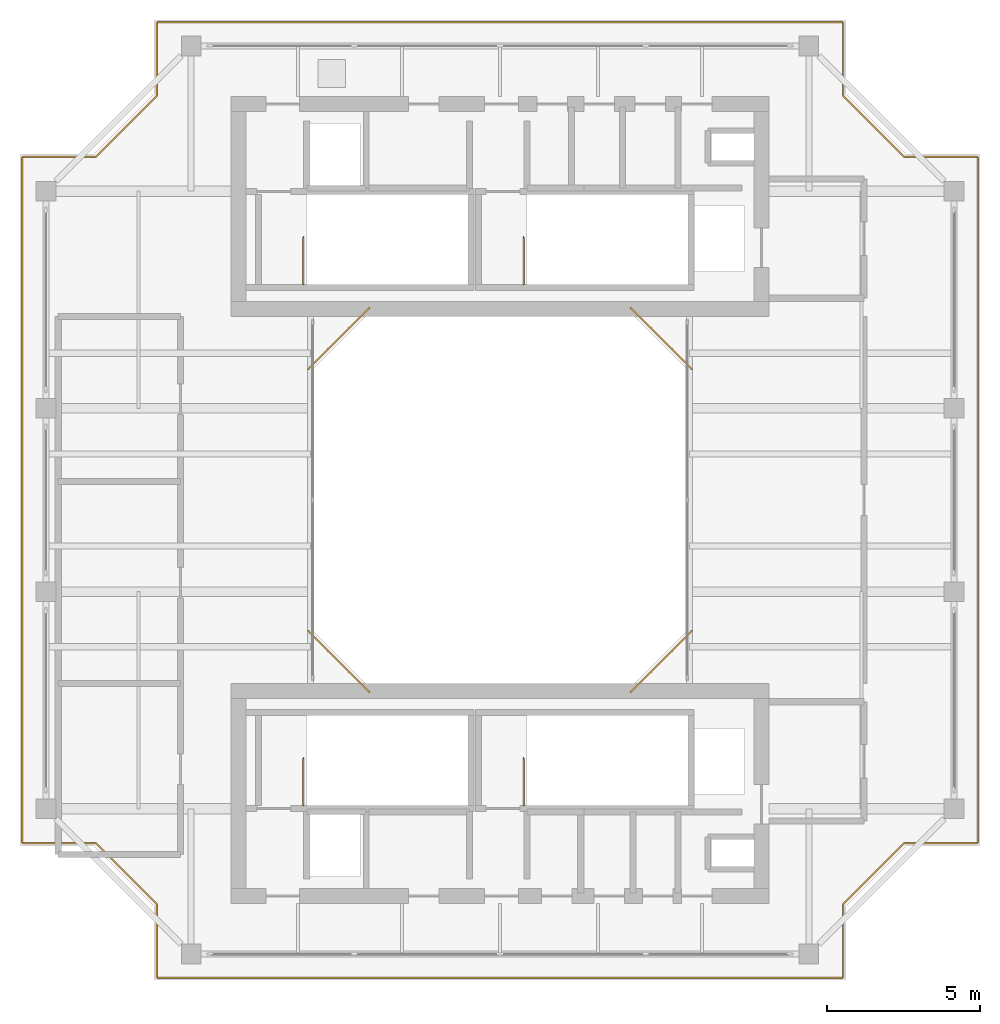
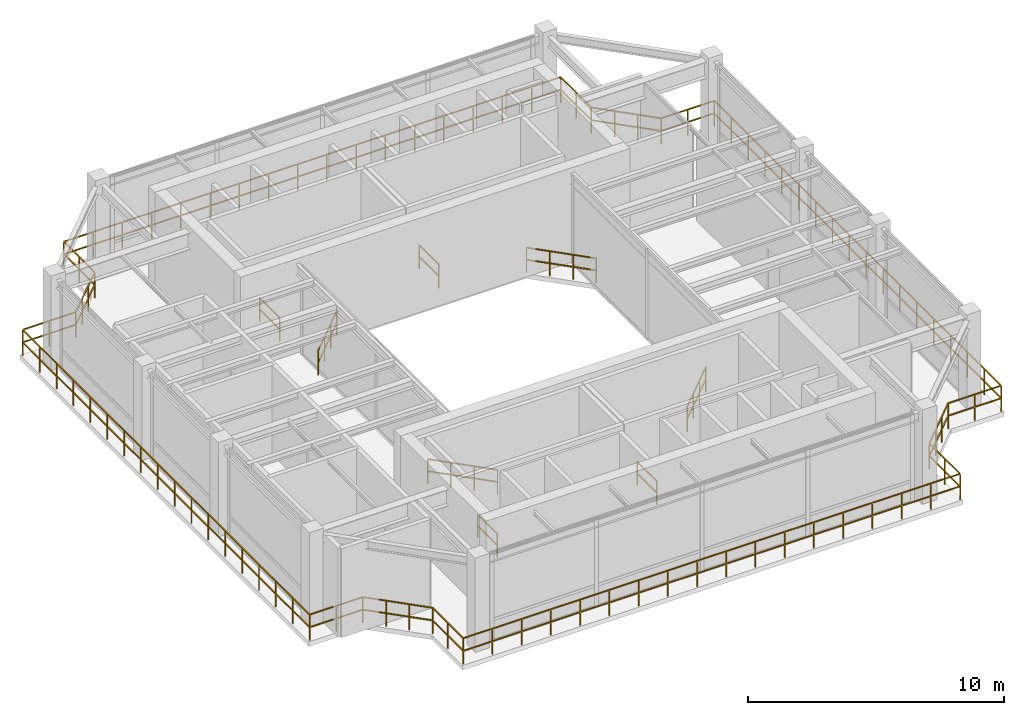
# One storey, part 9 of 9: 9 railings.
"""IFC4 building model written with IfcOpenShell, lengths in metres."""

from ifc_helpers import new_model, si_unit, direction, frame, origin, origin_2d, place, context, subcontext, project, spatial, rectangle, extrude, material, type_object, element, save


model = new_model("IFC4")

# Units and contexts
model_context = context("Model", 3, precision=1e-05, world=origin(), true_north=direction((0.0, 1.0)))
body_context = subcontext(model_context, "Body", "Model", "MODEL_VIEW")
ifc_project = project(units=[si_unit("LENGTHUNIT", "METRE"), si_unit("AREAUNIT", "SQUARE_METRE"), si_unit("VOLUMEUNIT", "CUBIC_METRE"), si_unit("PLANEANGLEUNIT", "RADIAN"), si_unit("MASSUNIT", "GRAM", prefix="KILO"), si_unit("THERMODYNAMICTEMPERATUREUNIT", "KELVIN"), si_unit("POWERUNIT", "WATT")], contexts=[model_context])

# Site, building, storey
site_placement = place(None, origin())
site = spatial("IfcSite", under=ifc_project, at=site_placement, CompositionType="ELEMENT")
building_placement = place(site_placement, origin())
building = spatial("IfcBuilding", under=site, at=building_placement, Name="Qiaomeng Ring Towers", CompositionType="ELEMENT")
storey_placement = place(building_placement, frame((0.0, 0.0, 263.25)))
storey = spatial("IfcBuildingStorey", under=building, at=storey_placement, Name="L77", CompositionType="ELEMENT", Elevation=263.25)

# Railings
ifc_material_1 = material(Name="Low-E pale-green laminated safety glass", Category="glass")
railing_type_1 = type_object("IfcRailingType", Name="ARC-RL-BAL1", PredefinedType="BALUSTRADE", material=ifc_material_1)
railing_1_placement = place(storey_placement, frame((23.280029296875, 16.719970703125, 0.0)))
element("IfcRailing", 1, at=railing_1_placement, inside=storey, type_object=railing_type_1, Name="L77 Balustrade ARC-BAL-WELL1-L77-1", PredefinedType="BALUSTRADE", context=body_context, shape_type="SweptSolid", body=[
    extrude(rectangle(XDim=0.048095703125, YDim=0.048095703125, at=origin_2d()), frame((0.0, 0.0, 1.17578125), z_axis=(0.707106781187, 0.707106781187, 0.0), x_axis=(-0.707106781187, 0.707106781187, 0.0)), (0.0, 0.0, 1.0), 2.828369140625),
    extrude(rectangle(XDim=0.048095703125, YDim=0.048095703125, at=origin_2d()), frame((0.0, 0.0, 0.60009765625), z_axis=(0.707106781187, 0.707106781187, 0.0), x_axis=(-0.707106781187, 0.707106781187, 0.0)), (0.0, 0.0, 1.0), 2.828369140625),
    extrude(rectangle(XDim=0.0419921875, YDim=0.0419921875, at=origin_2d()), origin(), (0.0, 0.0, 1.0), 1.15185546875),
    extrude(rectangle(XDim=0.0419921875, YDim=0.0419921875, at=origin_2d()), frame((0.666748046875, 0.666748046875, 0.0)), (0.0, 0.0, 1.0), 1.15185546875),
    extrude(rectangle(XDim=0.0419921875, YDim=0.0419921875, at=origin_2d()), frame((1.333251953125, 1.333251953125, 0.0)), (0.0, 0.0, 1.0), 1.15185546875),
    extrude(rectangle(XDim=0.0419921875, YDim=0.0419921875, at=origin_2d()), frame((2.0, 2.0, 0.0)), (0.0, 0.0, 1.0), 1.15185546875),
])
railing_2_placement = place(storey_placement, frame((25.280029296875, 27.280029296875, 0.0)))
element("IfcRailing", 2, at=railing_2_placement, inside=storey, type_object=railing_type_1, Name="L77 Balustrade ARC-BAL-WELL1-L77-2", PredefinedType="BALUSTRADE", context=body_context, shape_type="SweptSolid", body=[
    extrude(rectangle(XDim=0.048095703125, YDim=0.048095703125, at=origin_2d()), frame((0.0, 0.0, 1.17578125), z_axis=(-0.707106781187, 0.707106781187, 0.0), x_axis=(-0.707106781187, -0.707106781187, 0.0)), (0.0, 0.0, 1.0), 2.828369140625),
    extrude(rectangle(XDim=0.048095703125, YDim=0.048095703125, at=origin_2d()), frame((0.0, 0.0, 0.60009765625), z_axis=(-0.707106781187, 0.707106781187, 0.0), x_axis=(-0.707106781187, -0.707106781187, 0.0)), (0.0, 0.0, 1.0), 2.828369140625),
    extrude(rectangle(XDim=0.0419921875, YDim=0.0419921875, at=origin_2d()), origin(), (0.0, 0.0, 1.0), 1.15185546875),
    extrude(rectangle(XDim=0.0419921875, YDim=0.0419921875, at=origin_2d()), frame((-0.666748046875, 0.666748046875, 0.0)), (0.0, 0.0, 1.0), 1.15185546875),
    extrude(rectangle(XDim=0.0419921875, YDim=0.0419921875, at=origin_2d()), frame((-1.333251953125, 1.333251953125, 0.0)), (0.0, 0.0, 1.0), 1.15185546875),
    extrude(rectangle(XDim=0.0419921875, YDim=0.0419921875, at=origin_2d()), frame((-2.0, 2.0, 0.0)), (0.0, 0.0, 1.0), 1.15185546875),
])
railing_3_placement = place(storey_placement, frame((14.719970703125, 29.280029296875, 0.0)))
element("IfcRailing", 3, at=railing_3_placement, inside=storey, type_object=railing_type_1, Name="L77 Balustrade ARC-BAL-WELL1-L77-3", PredefinedType="BALUSTRADE", context=body_context, shape_type="SweptSolid", body=[
    extrude(rectangle(XDim=0.048095703125, YDim=0.048095703125, at=origin_2d()), frame((0.0, 0.0, 1.17578125), z_axis=(-0.707106781187, -0.707106781187, 0.0), x_axis=(0.707106781187, -0.707106781187, 0.0)), (0.0, 0.0, 1.0), 2.828369140625),
    extrude(rectangle(XDim=0.048095703125, YDim=0.048095703125, at=origin_2d()), frame((0.0, 0.0, 0.60009765625), z_axis=(-0.707106781187, -0.707106781187, 0.0), x_axis=(0.707106781187, -0.707106781187, 0.0)), (0.0, 0.0, 1.0), 2.828369140625),
    extrude(rectangle(XDim=0.0419921875, YDim=0.0419921875, at=origin_2d()), origin(), (0.0, 0.0, 1.0), 1.15185546875),
    extrude(rectangle(XDim=0.0419921875, YDim=0.0419921875, at=origin_2d()), frame((-0.666748046875, -0.666748046875, 0.0)), (0.0, 0.0, 1.0), 1.15185546875),
    extrude(rectangle(XDim=0.0419921875, YDim=0.0419921875, at=origin_2d()), frame((-1.333251953125, -1.333251953125, 0.0)), (0.0, 0.0, 1.0), 1.15185546875),
    extrude(rectangle(XDim=0.0419921875, YDim=0.0419921875, at=origin_2d()), frame((-2.0, -2.0, 0.0)), (0.0, 0.0, 1.0), 1.15185546875),
])
railing_4_placement = place(storey_placement, frame((12.719970703125, 18.719970703125, 0.0)))
element("IfcRailing", 4, at=railing_4_placement, inside=storey, type_object=railing_type_1, Name="L77 Balustrade ARC-BAL-WELL1-L77-4", PredefinedType="BALUSTRADE", context=body_context, shape_type="SweptSolid", body=[
    extrude(rectangle(XDim=0.048095703125, YDim=0.048095703125, at=origin_2d()), frame((0.0, 0.0, 1.17578125), z_axis=(0.707106781187, -0.707106781187, 0.0), x_axis=(0.707106781187, 0.707106781187, 0.0)), (0.0, 0.0, 1.0), 2.828369140625),
    extrude(rectangle(XDim=0.048095703125, YDim=0.048095703125, at=origin_2d()), frame((0.0, 0.0, 0.60009765625), z_axis=(0.707106781187, -0.707106781187, 0.0), x_axis=(0.707106781187, 0.707106781187, 0.0)), (0.0, 0.0, 1.0), 2.828369140625),
    extrude(rectangle(XDim=0.0419921875, YDim=0.0419921875, at=origin_2d()), origin(), (0.0, 0.0, 1.0), 1.15185546875),
    extrude(rectangle(XDim=0.0419921875, YDim=0.0419921875, at=origin_2d()), frame((0.666748046875, -0.666748046875, 0.0)), (0.0, 0.0, 1.0), 1.15185546875),
    extrude(rectangle(XDim=0.0419921875, YDim=0.0419921875, at=origin_2d()), frame((1.333251953125, -1.333251953125, 0.0)), (0.0, 0.0, 1.0), 1.15185546875),
    extrude(rectangle(XDim=0.0419921875, YDim=0.0419921875, at=origin_2d()), frame((2.0, -2.0, 0.0)), (0.0, 0.0, 1.0), 1.15185546875),
])
ifc_material_2 = material(Name="Stainless steel 316", Category="steel")
railing_type_2 = type_object("IfcRailingType", Name="ARC-RL-BAL2", PredefinedType="BALUSTRADE", material=ifc_material_2)
railing_5_placement = place(storey_placement, frame((7.780029296875, 7.3798828125, 0.0)))
element("IfcRailing", 5, at=railing_5_placement, inside=storey, type_object=railing_type_2, Name="L77 Balustrade ARC-BAL-REF-RING-L77", PredefinedType="BALUSTRADE", context=body_context, shape_type="SweptSolid", body=[
    extrude(rectangle(XDim=0.048095703125, YDim=0.048095703125, at=origin_2d()), frame((0.0, 0.0, 1.22607421875), z_axis=(1.0, 0.0, 0.0), x_axis=(0.0, 1.0, 0.0)), (0.0, 0.0, 1.0), 22.43994140625),
    extrude(rectangle(XDim=0.048095703125, YDim=0.048095703125, at=origin_2d()), frame((0.0, 0.0, 0.625), z_axis=(1.0, 0.0, 0.0), x_axis=(0.0, 1.0, 0.0)), (0.0, 0.0, 1.0), 22.43994140625),
    extrude(rectangle(XDim=0.048095703125, YDim=0.048095703125, at=origin_2d()), frame((22.43994140625, 0.0, 1.22607421875), z_axis=(0.0, 1.0, 0.0), x_axis=(-1.0, 0.0, 0.0)), (0.0, 0.0, 1.0), 2.400146484375),
    extrude(rectangle(XDim=0.048095703125, YDim=0.048095703125, at=origin_2d()), frame((22.43994140625, 0.0, 0.625), z_axis=(0.0, 1.0, 0.0), x_axis=(-1.0, 0.0, 0.0)), (0.0, 0.0, 1.0), 2.400146484375),
    extrude(rectangle(XDim=0.048095703125, YDim=0.048095703125, at=origin_2d()), frame((22.43994140625, 2.400146484375, 1.22607421875), z_axis=(0.707106781187, 0.707106781187, 0.0), x_axis=(-0.707106781187, 0.707106781187, 0.0)), (0.0, 0.0, 1.0), 2.828369140625),
    extrude(rectangle(XDim=0.048095703125, YDim=0.048095703125, at=origin_2d()), frame((22.43994140625, 2.400146484375, 0.625), z_axis=(0.707106781187, 0.707106781187, 0.0), x_axis=(-0.707106781187, 0.707106781187, 0.0)), (0.0, 0.0, 1.0), 2.828369140625),
    extrude(rectangle(XDim=0.048095703125, YDim=0.048095703125, at=origin_2d()), frame((24.43994140625, 4.400146484375, 1.22607421875), z_axis=(1.0, 0.0, 0.0), x_axis=(0.0, 1.0, 0.0)), (0.0, 0.0, 1.0), 2.400146484375),
    extrude(rectangle(XDim=0.048095703125, YDim=0.048095703125, at=origin_2d()), frame((24.43994140625, 4.400146484375, 0.625), z_axis=(1.0, 0.0, 0.0), x_axis=(0.0, 1.0, 0.0)), (0.0, 0.0, 1.0), 2.400146484375),
    extrude(rectangle(XDim=0.048095703125, YDim=0.048095703125, at=origin_2d()), frame((26.840087890625, 4.400146484375, 1.22607421875), z_axis=(0.0, 1.0, 0.0), x_axis=(-1.0, 0.0, 0.0)), (0.0, 0.0, 1.0), 22.43994140625),
    extrude(rectangle(XDim=0.048095703125, YDim=0.048095703125, at=origin_2d()), frame((26.840087890625, 4.400146484375, 0.625), z_axis=(0.0, 1.0, 0.0), x_axis=(-1.0, 0.0, 0.0)), (0.0, 0.0, 1.0), 22.43994140625),
    extrude(rectangle(XDim=0.048095703125, YDim=0.048095703125, at=origin_2d()), frame((26.840087890625, 26.840087890625, 1.22607421875), z_axis=(-1.0, 0.0, 0.0), x_axis=(0.0, -1.0, 0.0)), (0.0, 0.0, 1.0), 2.400146484375),
    extrude(rectangle(XDim=0.048095703125, YDim=0.048095703125, at=origin_2d()), frame((26.840087890625, 26.840087890625, 0.625), z_axis=(-1.0, 0.0, 0.0), x_axis=(0.0, -1.0, 0.0)), (0.0, 0.0, 1.0), 2.400146484375),
    extrude(rectangle(XDim=0.048095703125, YDim=0.048095703125, at=origin_2d()), frame((24.43994140625, 26.840087890625, 1.22607421875), z_axis=(-0.707106781187, 0.707106781187, 0.0), x_axis=(-0.707106781187, -0.707106781187, 0.0)), (0.0, 0.0, 1.0), 2.828369140625),
    extrude(rectangle(XDim=0.048095703125, YDim=0.048095703125, at=origin_2d()), frame((24.43994140625, 26.840087890625, 0.625), z_axis=(-0.707106781187, 0.707106781187, 0.0), x_axis=(-0.707106781187, -0.707106781187, 0.0)), (0.0, 0.0, 1.0), 2.828369140625),
    extrude(rectangle(XDim=0.048095703125, YDim=0.048095703125, at=origin_2d()), frame((22.43994140625, 28.840087890625, 1.22607421875), z_axis=(0.0, 1.0, 0.0), x_axis=(-1.0, 0.0, 0.0)), (0.0, 0.0, 1.0), 2.400146484375),
    extrude(rectangle(XDim=0.048095703125, YDim=0.048095703125, at=origin_2d()), frame((22.43994140625, 28.840087890625, 0.625), z_axis=(0.0, 1.0, 0.0), x_axis=(-1.0, 0.0, 0.0)), (0.0, 0.0, 1.0), 2.400146484375),
    extrude(rectangle(XDim=0.048095703125, YDim=0.048095703125, at=origin_2d()), frame((22.43994140625, 31.240234375, 1.22607421875), z_axis=(-1.0, 0.0, 0.0), x_axis=(0.0, -1.0, 0.0)), (0.0, 0.0, 1.0), 22.43994140625),
    extrude(rectangle(XDim=0.048095703125, YDim=0.048095703125, at=origin_2d()), frame((22.43994140625, 31.240234375, 0.625), z_axis=(-1.0, 0.0, 0.0), x_axis=(0.0, -1.0, 0.0)), (0.0, 0.0, 1.0), 22.43994140625),
    extrude(rectangle(XDim=0.048095703125, YDim=0.048095703125, at=origin_2d()), frame((0.0, 31.240234375, 1.22607421875), z_axis=(0.0, -1.0, 0.0), x_axis=(1.0, 0.0, 0.0)), (0.0, 0.0, 1.0), 2.400146484375),
    extrude(rectangle(XDim=0.048095703125, YDim=0.048095703125, at=origin_2d()), frame((0.0, 31.240234375, 0.625), z_axis=(0.0, -1.0, 0.0), x_axis=(1.0, 0.0, 0.0)), (0.0, 0.0, 1.0), 2.400146484375),
    extrude(rectangle(XDim=0.048095703125, YDim=0.048095703125, at=origin_2d()), frame((0.0, 28.840087890625, 1.22607421875), z_axis=(-0.707106781187, -0.707106781187, 0.0), x_axis=(0.707106781187, -0.707106781187, 0.0)), (0.0, 0.0, 1.0), 2.828369140625),
    extrude(rectangle(XDim=0.048095703125, YDim=0.048095703125, at=origin_2d()), frame((0.0, 28.840087890625, 0.625), z_axis=(-0.707106781187, -0.707106781187, 0.0), x_axis=(0.707106781187, -0.707106781187, 0.0)), (0.0, 0.0, 1.0), 2.828369140625),
    extrude(rectangle(XDim=0.048095703125, YDim=0.048095703125, at=origin_2d()), frame((-2.0, 26.840087890625, 1.22607421875), z_axis=(-1.0, 0.0, 0.0), x_axis=(0.0, -1.0, 0.0)), (0.0, 0.0, 1.0), 2.400146484375),
    extrude(rectangle(XDim=0.048095703125, YDim=0.048095703125, at=origin_2d()), frame((-2.0, 26.840087890625, 0.625), z_axis=(-1.0, 0.0, 0.0), x_axis=(0.0, -1.0, 0.0)), (0.0, 0.0, 1.0), 2.400146484375),
    extrude(rectangle(XDim=0.048095703125, YDim=0.048095703125, at=origin_2d()), frame((-4.400146484375, 26.840087890625, 1.22607421875), z_axis=(0.0, -1.0, 0.0), x_axis=(1.0, 0.0, 0.0)), (0.0, 0.0, 1.0), 22.43994140625),
    extrude(rectangle(XDim=0.048095703125, YDim=0.048095703125, at=origin_2d()), frame((-4.400146484375, 26.840087890625, 0.625), z_axis=(0.0, -1.0, 0.0), x_axis=(1.0, 0.0, 0.0)), (0.0, 0.0, 1.0), 22.43994140625),
    extrude(rectangle(XDim=0.048095703125, YDim=0.048095703125, at=origin_2d()), frame((-4.400146484375, 4.400146484375, 1.22607421875), z_axis=(1.0, 0.0, 0.0), x_axis=(0.0, 1.0, 0.0)), (0.0, 0.0, 1.0), 2.400146484375),
    extrude(rectangle(XDim=0.048095703125, YDim=0.048095703125, at=origin_2d()), frame((-4.400146484375, 4.400146484375, 0.625), z_axis=(1.0, 0.0, 0.0), x_axis=(0.0, 1.0, 0.0)), (0.0, 0.0, 1.0), 2.400146484375),
    extrude(rectangle(XDim=0.048095703125, YDim=0.048095703125, at=origin_2d()), frame((-2.0, 4.400146484375, 1.22607421875), z_axis=(0.707106781187, -0.707106781187, 0.0), x_axis=(0.707106781187, 0.707106781187, 0.0)), (0.0, 0.0, 1.0), 2.828369140625),
    extrude(rectangle(XDim=0.048095703125, YDim=0.048095703125, at=origin_2d()), frame((-2.0, 4.400146484375, 0.625), z_axis=(0.707106781187, -0.707106781187, 0.0), x_axis=(0.707106781187, 0.707106781187, 0.0)), (0.0, 0.0, 1.0), 2.828369140625),
    extrude(rectangle(XDim=0.048095703125, YDim=0.048095703125, at=origin_2d()), frame((0.0, 2.400146484375, 1.22607421875), z_axis=(0.0, -1.0, 0.0), x_axis=(1.0, 0.0, 0.0)), (0.0, 0.0, 1.0), 2.400146484375),
    extrude(rectangle(XDim=0.048095703125, YDim=0.048095703125, at=origin_2d()), frame((0.0, 2.400146484375, 0.625), z_axis=(0.0, -1.0, 0.0), x_axis=(1.0, 0.0, 0.0)), (0.0, 0.0, 1.0), 2.400146484375),
    extrude(rectangle(XDim=0.0419921875, YDim=0.0419921875, at=origin_2d()), origin(), (0.0, 0.0, 1.0), 1.201904296875),
    extrude(rectangle(XDim=0.0419921875, YDim=0.0419921875, at=origin_2d()), frame((1.320068359375, 0.0, 0.0)), (0.0, 0.0, 1.0), 1.201904296875),
    extrude(rectangle(XDim=0.0419921875, YDim=0.0419921875, at=origin_2d()), frame((2.639892578125, 0.0, 0.0)), (0.0, 0.0, 1.0), 1.201904296875),
    extrude(rectangle(XDim=0.0419921875, YDim=0.0419921875, at=origin_2d()), frame((3.9599609375, 0.0, 0.0)), (0.0, 0.0, 1.0), 1.201904296875),
    extrude(rectangle(XDim=0.0419921875, YDim=0.0419921875, at=origin_2d()), frame((5.280029296875, 0.0, 0.0)), (0.0, 0.0, 1.0), 1.201904296875),
    extrude(rectangle(XDim=0.0419921875, YDim=0.0419921875, at=origin_2d()), frame((6.60009765625, 0.0, 0.0)), (0.0, 0.0, 1.0), 1.201904296875),
    extrude(rectangle(XDim=0.0419921875, YDim=0.0419921875, at=origin_2d()), frame((7.919921875, 0.0, 0.0)), (0.0, 0.0, 1.0), 1.201904296875),
    extrude(rectangle(XDim=0.0419921875, YDim=0.0419921875, at=origin_2d()), frame((9.239990234375, 0.0, 0.0)), (0.0, 0.0, 1.0), 1.201904296875),
    extrude(rectangle(XDim=0.0419921875, YDim=0.0419921875, at=origin_2d()), frame((10.56005859375, 0.0, 0.0)), (0.0, 0.0, 1.0), 1.201904296875),
    extrude(rectangle(XDim=0.0419921875, YDim=0.0419921875, at=origin_2d()), frame((11.8798828125, 0.0, 0.0)), (0.0, 0.0, 1.0), 1.201904296875),
    extrude(rectangle(XDim=0.0419921875, YDim=0.0419921875, at=origin_2d()), frame((13.199951171875, 0.0, 0.0)), (0.0, 0.0, 1.0), 1.201904296875),
    extrude(rectangle(XDim=0.0419921875, YDim=0.0419921875, at=origin_2d()), frame((14.52001953125, 0.0, 0.0)), (0.0, 0.0, 1.0), 1.201904296875),
    extrude(rectangle(XDim=0.0419921875, YDim=0.0419921875, at=origin_2d()), frame((15.83984375, 0.0, 0.0)), (0.0, 0.0, 1.0), 1.201904296875),
    extrude(rectangle(XDim=0.0419921875, YDim=0.0419921875, at=origin_2d()), frame((17.159912109375, 0.0, 0.0)), (0.0, 0.0, 1.0), 1.201904296875),
    extrude(rectangle(XDim=0.0419921875, YDim=0.0419921875, at=origin_2d()), frame((18.47998046875, 0.0, 0.0)), (0.0, 0.0, 1.0), 1.201904296875),
    extrude(rectangle(XDim=0.0419921875, YDim=0.0419921875, at=origin_2d()), frame((19.800048828125, 0.0, 0.0)), (0.0, 0.0, 1.0), 1.201904296875),
    extrude(rectangle(XDim=0.0419921875, YDim=0.0419921875, at=origin_2d()), frame((21.119873046875, 0.0, 0.0)), (0.0, 0.0, 1.0), 1.201904296875),
    extrude(rectangle(XDim=0.0419921875, YDim=0.0419921875, at=origin_2d()), frame((22.43994140625, 0.0, 0.0)), (0.0, 0.0, 1.0), 1.201904296875),
    extrude(rectangle(XDim=0.0419921875, YDim=0.0419921875, at=origin_2d()), frame((22.43994140625, 1.2001953125, 0.0)), (0.0, 0.0, 1.0), 1.201904296875),
    extrude(rectangle(XDim=0.0419921875, YDim=0.0419921875, at=origin_2d()), frame((22.43994140625, 2.400146484375, 0.0)), (0.0, 0.0, 1.0), 1.201904296875),
    extrude(rectangle(XDim=0.0419921875, YDim=0.0419921875, at=origin_2d()), frame((23.106689453125, 3.06689453125, 0.0)), (0.0, 0.0, 1.0), 1.201904296875),
    extrude(rectangle(XDim=0.0419921875, YDim=0.0419921875, at=origin_2d()), frame((23.773193359375, 3.7333984375, 0.0)), (0.0, 0.0, 1.0), 1.201904296875),
    extrude(rectangle(XDim=0.0419921875, YDim=0.0419921875, at=origin_2d()), frame((24.43994140625, 4.400146484375, 0.0)), (0.0, 0.0, 1.0), 1.201904296875),
    extrude(rectangle(XDim=0.0419921875, YDim=0.0419921875, at=origin_2d()), frame((25.64013671875, 4.400146484375, 0.0)), (0.0, 0.0, 1.0), 1.201904296875),
    extrude(rectangle(XDim=0.0419921875, YDim=0.0419921875, at=origin_2d()), frame((26.840087890625, 4.400146484375, 0.0)), (0.0, 0.0, 1.0), 1.201904296875),
    extrude(rectangle(XDim=0.0419921875, YDim=0.0419921875, at=origin_2d()), frame((26.840087890625, 5.72021484375, 0.0)), (0.0, 0.0, 1.0), 1.201904296875),
    extrude(rectangle(XDim=0.0419921875, YDim=0.0419921875, at=origin_2d()), frame((26.840087890625, 7.0400390625, 0.0)), (0.0, 0.0, 1.0), 1.201904296875),
    extrude(rectangle(XDim=0.0419921875, YDim=0.0419921875, at=origin_2d()), frame((26.840087890625, 8.360107421875, 0.0)), (0.0, 0.0, 1.0), 1.201904296875),
    extrude(rectangle(XDim=0.0419921875, YDim=0.0419921875, at=origin_2d()), frame((26.840087890625, 9.68017578125, 0.0)), (0.0, 0.0, 1.0), 1.201904296875),
    extrude(rectangle(XDim=0.0419921875, YDim=0.0419921875, at=origin_2d()), frame((26.840087890625, 11.000244140625, 0.0)), (0.0, 0.0, 1.0), 1.201904296875),
    extrude(rectangle(XDim=0.0419921875, YDim=0.0419921875, at=origin_2d()), frame((26.840087890625, 12.320068359375, 0.0)), (0.0, 0.0, 1.0), 1.201904296875),
    extrude(rectangle(XDim=0.0419921875, YDim=0.0419921875, at=origin_2d()), frame((26.840087890625, 13.64013671875, 0.0)), (0.0, 0.0, 1.0), 1.201904296875),
    extrude(rectangle(XDim=0.0419921875, YDim=0.0419921875, at=origin_2d()), frame((26.840087890625, 14.960205078125, 0.0)), (0.0, 0.0, 1.0), 1.201904296875),
    extrude(rectangle(XDim=0.0419921875, YDim=0.0419921875, at=origin_2d()), frame((26.840087890625, 16.280029296875, 0.0)), (0.0, 0.0, 1.0), 1.201904296875),
    extrude(rectangle(XDim=0.0419921875, YDim=0.0419921875, at=origin_2d()), frame((26.840087890625, 17.60009765625, 0.0)), (0.0, 0.0, 1.0), 1.201904296875),
    extrude(rectangle(XDim=0.0419921875, YDim=0.0419921875, at=origin_2d()), frame((26.840087890625, 18.920166015625, 0.0)), (0.0, 0.0, 1.0), 1.201904296875),
    extrude(rectangle(XDim=0.0419921875, YDim=0.0419921875, at=origin_2d()), frame((26.840087890625, 20.239990234375, 0.0)), (0.0, 0.0, 1.0), 1.201904296875),
    extrude(rectangle(XDim=0.0419921875, YDim=0.0419921875, at=origin_2d()), frame((26.840087890625, 21.56005859375, 0.0)), (0.0, 0.0, 1.0), 1.201904296875),
    extrude(rectangle(XDim=0.0419921875, YDim=0.0419921875, at=origin_2d()), frame((26.840087890625, 22.880126953125, 0.0)), (0.0, 0.0, 1.0), 1.201904296875),
    extrude(rectangle(XDim=0.0419921875, YDim=0.0419921875, at=origin_2d()), frame((26.840087890625, 24.2001953125, 0.0)), (0.0, 0.0, 1.0), 1.201904296875),
    extrude(rectangle(XDim=0.0419921875, YDim=0.0419921875, at=origin_2d()), frame((26.840087890625, 25.52001953125, 0.0)), (0.0, 0.0, 1.0), 1.201904296875),
    extrude(rectangle(XDim=0.0419921875, YDim=0.0419921875, at=origin_2d()), frame((26.840087890625, 26.840087890625, 0.0)), (0.0, 0.0, 1.0), 1.201904296875),
    extrude(rectangle(XDim=0.0419921875, YDim=0.0419921875, at=origin_2d()), frame((25.64013671875, 26.840087890625, 0.0)), (0.0, 0.0, 1.0), 1.201904296875),
    extrude(rectangle(XDim=0.0419921875, YDim=0.0419921875, at=origin_2d()), frame((24.43994140625, 26.840087890625, 0.0)), (0.0, 0.0, 1.0), 1.201904296875),
    extrude(rectangle(XDim=0.0419921875, YDim=0.0419921875, at=origin_2d()), frame((23.773193359375, 27.5068359375, 0.0)), (0.0, 0.0, 1.0), 1.201904296875),
    extrude(rectangle(XDim=0.0419921875, YDim=0.0419921875, at=origin_2d()), frame((23.106689453125, 28.17333984375, 0.0)), (0.0, 0.0, 1.0), 1.201904296875),
    extrude(rectangle(XDim=0.0419921875, YDim=0.0419921875, at=origin_2d()), frame((22.43994140625, 28.840087890625, 0.0)), (0.0, 0.0, 1.0), 1.201904296875),
    extrude(rectangle(XDim=0.0419921875, YDim=0.0419921875, at=origin_2d()), frame((22.43994140625, 30.0400390625, 0.0)), (0.0, 0.0, 1.0), 1.201904296875),
    extrude(rectangle(XDim=0.0419921875, YDim=0.0419921875, at=origin_2d()), frame((22.43994140625, 31.240234375, 0.0)), (0.0, 0.0, 1.0), 1.201904296875),
    extrude(rectangle(XDim=0.0419921875, YDim=0.0419921875, at=origin_2d()), frame((21.119873046875, 31.240234375, 0.0)), (0.0, 0.0, 1.0), 1.201904296875),
    extrude(rectangle(XDim=0.0419921875, YDim=0.0419921875, at=origin_2d()), frame((19.800048828125, 31.240234375, 0.0)), (0.0, 0.0, 1.0), 1.201904296875),
    extrude(rectangle(XDim=0.0419921875, YDim=0.0419921875, at=origin_2d()), frame((18.47998046875, 31.240234375, 0.0)), (0.0, 0.0, 1.0), 1.201904296875),
    extrude(rectangle(XDim=0.0419921875, YDim=0.0419921875, at=origin_2d()), frame((17.159912109375, 31.240234375, 0.0)), (0.0, 0.0, 1.0), 1.201904296875),
    extrude(rectangle(XDim=0.0419921875, YDim=0.0419921875, at=origin_2d()), frame((15.83984375, 31.240234375, 0.0)), (0.0, 0.0, 1.0), 1.201904296875),
    extrude(rectangle(XDim=0.0419921875, YDim=0.0419921875, at=origin_2d()), frame((14.52001953125, 31.240234375, 0.0)), (0.0, 0.0, 1.0), 1.201904296875),
    extrude(rectangle(XDim=0.0419921875, YDim=0.0419921875, at=origin_2d()), frame((13.199951171875, 31.240234375, 0.0)), (0.0, 0.0, 1.0), 1.201904296875),
    extrude(rectangle(XDim=0.0419921875, YDim=0.0419921875, at=origin_2d()), frame((11.8798828125, 31.240234375, 0.0)), (0.0, 0.0, 1.0), 1.201904296875),
    extrude(rectangle(XDim=0.0419921875, YDim=0.0419921875, at=origin_2d()), frame((10.56005859375, 31.240234375, 0.0)), (0.0, 0.0, 1.0), 1.201904296875),
    extrude(rectangle(XDim=0.0419921875, YDim=0.0419921875, at=origin_2d()), frame((9.239990234375, 31.240234375, 0.0)), (0.0, 0.0, 1.0), 1.201904296875),
    extrude(rectangle(XDim=0.0419921875, YDim=0.0419921875, at=origin_2d()), frame((7.919921875, 31.240234375, 0.0)), (0.0, 0.0, 1.0), 1.201904296875),
    extrude(rectangle(XDim=0.0419921875, YDim=0.0419921875, at=origin_2d()), frame((6.60009765625, 31.240234375, 0.0)), (0.0, 0.0, 1.0), 1.201904296875),
    extrude(rectangle(XDim=0.0419921875, YDim=0.0419921875, at=origin_2d()), frame((5.280029296875, 31.240234375, 0.0)), (0.0, 0.0, 1.0), 1.201904296875),
    extrude(rectangle(XDim=0.0419921875, YDim=0.0419921875, at=origin_2d()), frame((3.9599609375, 31.240234375, 0.0)), (0.0, 0.0, 1.0), 1.201904296875),
    extrude(rectangle(XDim=0.0419921875, YDim=0.0419921875, at=origin_2d()), frame((2.639892578125, 31.240234375, 0.0)), (0.0, 0.0, 1.0), 1.201904296875),
    extrude(rectangle(XDim=0.0419921875, YDim=0.0419921875, at=origin_2d()), frame((1.320068359375, 31.240234375, 0.0)), (0.0, 0.0, 1.0), 1.201904296875),
    extrude(rectangle(XDim=0.0419921875, YDim=0.0419921875, at=origin_2d()), frame((0.0, 31.240234375, 0.0)), (0.0, 0.0, 1.0), 1.201904296875),
    extrude(rectangle(XDim=0.0419921875, YDim=0.0419921875, at=origin_2d()), frame((0.0, 30.0400390625, 0.0)), (0.0, 0.0, 1.0), 1.201904296875),
    extrude(rectangle(XDim=0.0419921875, YDim=0.0419921875, at=origin_2d()), frame((0.0, 28.840087890625, 0.0)), (0.0, 0.0, 1.0), 1.201904296875),
    extrude(rectangle(XDim=0.0419921875, YDim=0.0419921875, at=origin_2d()), frame((-0.666748046875, 28.17333984375, 0.0)), (0.0, 0.0, 1.0), 1.201904296875),
    extrude(rectangle(XDim=0.0419921875, YDim=0.0419921875, at=origin_2d()), frame((-1.333251953125, 27.5068359375, 0.0)), (0.0, 0.0, 1.0), 1.201904296875),
    extrude(rectangle(XDim=0.0419921875, YDim=0.0419921875, at=origin_2d()), frame((-2.0, 26.840087890625, 0.0)), (0.0, 0.0, 1.0), 1.201904296875),
    extrude(rectangle(XDim=0.0419921875, YDim=0.0419921875, at=origin_2d()), frame((-3.2001953125, 26.840087890625, 0.0)), (0.0, 0.0, 1.0), 1.201904296875),
    extrude(rectangle(XDim=0.0419921875, YDim=0.0419921875, at=origin_2d()), frame((-4.400146484375, 26.840087890625, 0.0)), (0.0, 0.0, 1.0), 1.201904296875),
    extrude(rectangle(XDim=0.0419921875, YDim=0.0419921875, at=origin_2d()), frame((-4.400146484375, 25.52001953125, 0.0)), (0.0, 0.0, 1.0), 1.201904296875),
    extrude(rectangle(XDim=0.0419921875, YDim=0.0419921875, at=origin_2d()), frame((-4.400146484375, 24.2001953125, 0.0)), (0.0, 0.0, 1.0), 1.201904296875),
    extrude(rectangle(XDim=0.0419921875, YDim=0.0419921875, at=origin_2d()), frame((-4.400146484375, 22.880126953125, 0.0)), (0.0, 0.0, 1.0), 1.201904296875),
    extrude(rectangle(XDim=0.0419921875, YDim=0.0419921875, at=origin_2d()), frame((-4.400146484375, 21.56005859375, 0.0)), (0.0, 0.0, 1.0), 1.201904296875),
    extrude(rectangle(XDim=0.0419921875, YDim=0.0419921875, at=origin_2d()), frame((-4.400146484375, 20.239990234375, 0.0)), (0.0, 0.0, 1.0), 1.201904296875),
    extrude(rectangle(XDim=0.0419921875, YDim=0.0419921875, at=origin_2d()), frame((-4.400146484375, 18.920166015625, 0.0)), (0.0, 0.0, 1.0), 1.201904296875),
    extrude(rectangle(XDim=0.0419921875, YDim=0.0419921875, at=origin_2d()), frame((-4.400146484375, 17.60009765625, 0.0)), (0.0, 0.0, 1.0), 1.201904296875),
    extrude(rectangle(XDim=0.0419921875, YDim=0.0419921875, at=origin_2d()), frame((-4.400146484375, 16.280029296875, 0.0)), (0.0, 0.0, 1.0), 1.201904296875),
    extrude(rectangle(XDim=0.0419921875, YDim=0.0419921875, at=origin_2d()), frame((-4.400146484375, 14.960205078125, 0.0)), (0.0, 0.0, 1.0), 1.201904296875),
    extrude(rectangle(XDim=0.0419921875, YDim=0.0419921875, at=origin_2d()), frame((-4.400146484375, 13.64013671875, 0.0)), (0.0, 0.0, 1.0), 1.201904296875),
    extrude(rectangle(XDim=0.0419921875, YDim=0.0419921875, at=origin_2d()), frame((-4.400146484375, 12.320068359375, 0.0)), (0.0, 0.0, 1.0), 1.201904296875),
    extrude(rectangle(XDim=0.0419921875, YDim=0.0419921875, at=origin_2d()), frame((-4.400146484375, 11.000244140625, 0.0)), (0.0, 0.0, 1.0), 1.201904296875),
    extrude(rectangle(XDim=0.0419921875, YDim=0.0419921875, at=origin_2d()), frame((-4.400146484375, 9.68017578125, 0.0)), (0.0, 0.0, 1.0), 1.201904296875),
    extrude(rectangle(XDim=0.0419921875, YDim=0.0419921875, at=origin_2d()), frame((-4.400146484375, 8.360107421875, 0.0)), (0.0, 0.0, 1.0), 1.201904296875),
    extrude(rectangle(XDim=0.0419921875, YDim=0.0419921875, at=origin_2d()), frame((-4.400146484375, 7.0400390625, 0.0)), (0.0, 0.0, 1.0), 1.201904296875),
    extrude(rectangle(XDim=0.0419921875, YDim=0.0419921875, at=origin_2d()), frame((-4.400146484375, 5.72021484375, 0.0)), (0.0, 0.0, 1.0), 1.201904296875),
    extrude(rectangle(XDim=0.0419921875, YDim=0.0419921875, at=origin_2d()), frame((-4.400146484375, 4.400146484375, 0.0)), (0.0, 0.0, 1.0), 1.201904296875),
    extrude(rectangle(XDim=0.0419921875, YDim=0.0419921875, at=origin_2d()), frame((-3.2001953125, 4.400146484375, 0.0)), (0.0, 0.0, 1.0), 1.201904296875),
    extrude(rectangle(XDim=0.0419921875, YDim=0.0419921875, at=origin_2d()), frame((-2.0, 4.400146484375, 0.0)), (0.0, 0.0, 1.0), 1.201904296875),
    extrude(rectangle(XDim=0.0419921875, YDim=0.0419921875, at=origin_2d()), frame((-1.333251953125, 3.7333984375, 0.0)), (0.0, 0.0, 1.0), 1.201904296875),
    extrude(rectangle(XDim=0.0419921875, YDim=0.0419921875, at=origin_2d()), frame((-0.666748046875, 3.06689453125, 0.0)), (0.0, 0.0, 1.0), 1.201904296875),
    extrude(rectangle(XDim=0.0419921875, YDim=0.0419921875, at=origin_2d()), frame((0.0, 2.400146484375, 0.0)), (0.0, 0.0, 1.0), 1.201904296875),
    extrude(rectangle(XDim=0.0419921875, YDim=0.0419921875, at=origin_2d()), frame((0.0, 1.2001953125, 0.0)), (0.0, 0.0, 1.0), 1.201904296875),
])
ifc_material_3 = material(Name="Galvanised steel", Category="steel")
railing_type_3 = type_object("IfcRailingType", Name="ARC-RL-GUARD", PredefinedType="GUARDRAIL", material=ifc_material_3)
for number, where, name in (
    (6, (12.570068359375, 30.050048828125, 0.0), "L77 ST1 top well guard 1"),
    (7, (19.77001953125, 30.050048828125, 0.0), "L77 ST2 top well guard 1"),
    (8, (12.570068359375, 13.010009765625, 0.0), "L77 ST3 top well guard 1"),
    (9, (19.77001953125, 13.010009765625, 0.0), "L77 ST4 top well guard 1"),
):
    element("IfcRailing", number, at=place(storey_placement, frame(where)), inside=storey, type_object=railing_type_3, Name=name, PredefinedType="GUARDRAIL", context=body_context, shape_type="SweptSolid", body=[
        extrude(rectangle(XDim=0.048095703125, YDim=0.048095703125, at=origin_2d()), frame((0.0, 0.0, 1.1259765625), z_axis=(0.0, 1.0, 0.0), x_axis=(-1.0, 0.0, 0.0)), (0.0, 0.0, 1.0), 1.5400390625),
        extrude(rectangle(XDim=0.048095703125, YDim=0.048095703125, at=origin_2d()), frame((0.0, 0.0, 0.574951171875), z_axis=(0.0, 1.0, 0.0), x_axis=(-1.0, 0.0, 0.0)), (0.0, 0.0, 1.0), 1.5400390625),
        extrude(rectangle(XDim=0.0419921875, YDim=0.0419921875, at=origin_2d()), origin(), (0.0, 0.0, 1.0), 1.101806640625),
        extrude(rectangle(XDim=0.0419921875, YDim=0.0419921875, at=origin_2d()), frame((0.0, 1.5400390625, 0.0)), (0.0, 0.0, 1.0), 1.101806640625),
    ])

save(model, "model.ifc")
